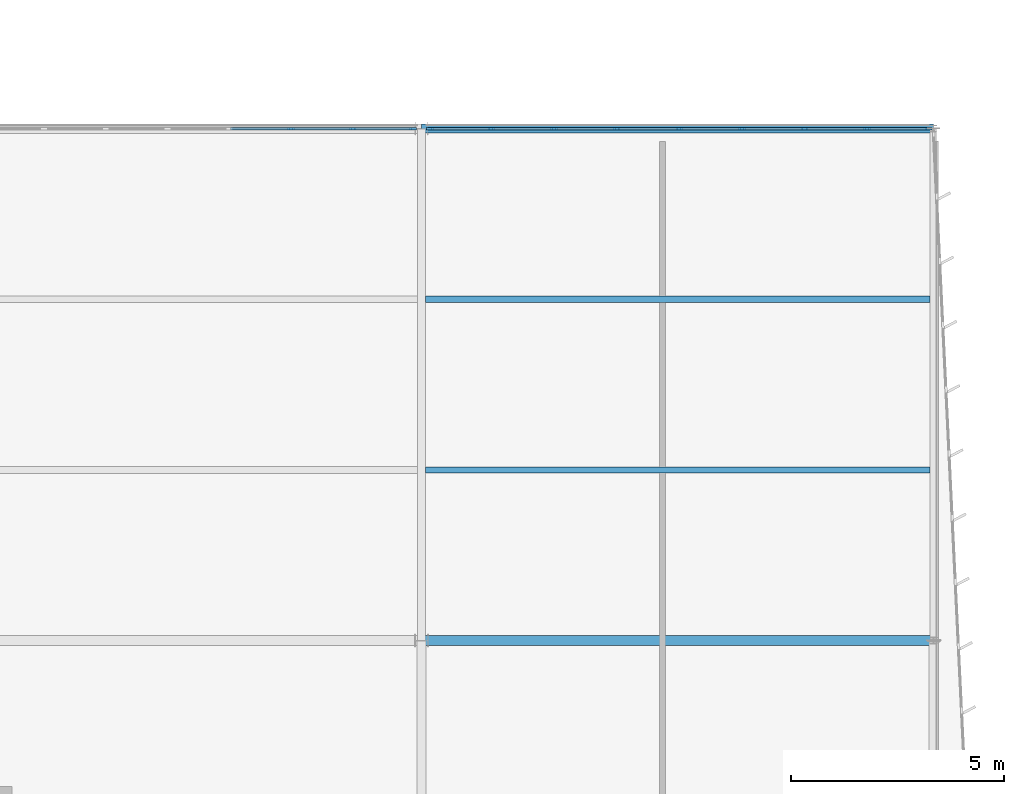
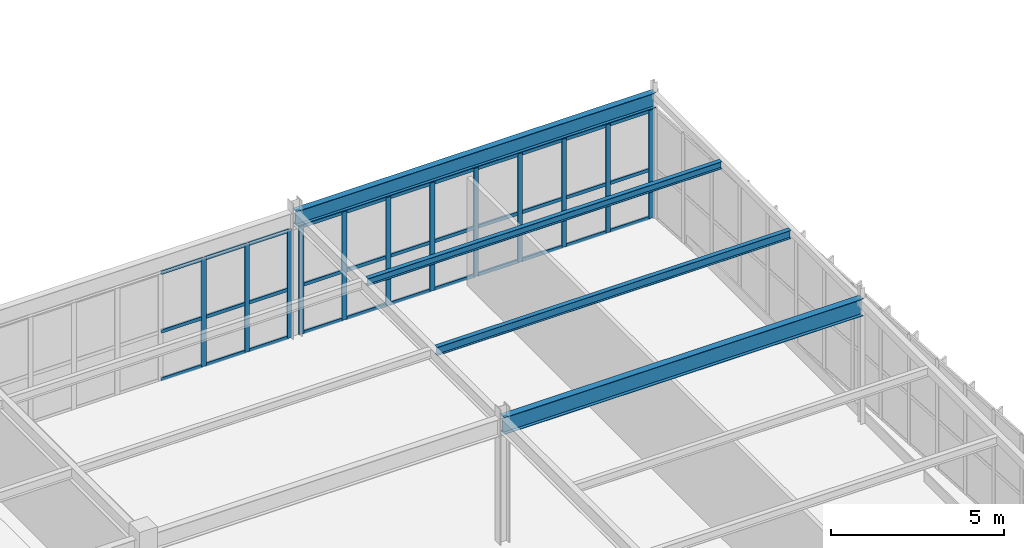
# One storey, part 96 of 186: 45 members, 4 beams, 2 elements without a shape of their own.
"""IFC4 building model written with IfcOpenShell, lengths in metres."""

from ifc_helpers import new_model, si_unit, direction, frame, origin, origin_2d, place, context, subcontext, project, spatial, rectangle, i_section, extrude, material, layer, layer_set, material_profile, profile_set, type_object, element, aggregate, save


model = new_model("IFC4")

# Units and contexts
model_context = context("Model", 3, precision=1e-05, world=origin(), true_north=direction((0.0, 1.0)))
body_context = subcontext(model_context, "Body", "Model", "MODEL_VIEW")
ifc_project = project(units=[si_unit("LENGTHUNIT", "METRE"), si_unit("AREAUNIT", "SQUARE_METRE"), si_unit("VOLUMEUNIT", "CUBIC_METRE"), si_unit("PLANEANGLEUNIT", "RADIAN"), si_unit("MASSUNIT", "GRAM", prefix="KILO")], contexts=[model_context])

# Site, building, storey
site_placement = place(None, origin())
site = spatial("IfcSite", under=ifc_project, at=site_placement, CompositionType="ELEMENT")
building_placement = place(site_placement, origin())
building = spatial("IfcBuilding", under=site, at=building_placement, Name="Tarnwether General Hospital", CompositionType="ELEMENT")
storey_placement = place(building_placement, frame((0.0, 0.0, 9.60009765625)))
storey = spatial("IfcBuildingStorey", under=building, at=storey_placement, Name="L02", CompositionType="ELEMENT", Elevation=9.60009765625)

# Beams
ifc_material_1 = material(Name="Steel Grade 350 (350 MPa)", Category="steel")
ifc_material_profile_1 = material_profile(ifc_material_1, i_section(OverallWidth=0.22802734375, OverallDepth=0.60205078125, WebThickness=0.010498046875, FlangeThickness=0.014892578125, at=origin_2d()), Name="610UB101")
ifc_profile_set_1 = profile_set([ifc_material_profile_1], Name="Steel Grade 350 (350 MPa)")
beam_type_1 = type_object("IfcBeamType", Name="BM-G05", PredefinedType="BEAM", material=ifc_profile_set_1)
beam_1_placement = place(storey_placement, frame((180.0, 33.60009765625, 4.138916015625), z_axis=(1.0, 0.0, 0.0), x_axis=(0.0, 1.0, 0.0)))
element("IfcBeam", 1, at=beam_1_placement, inside=storey, type_object=beam_type_1, Name="Primary Girder BMG-L02-18000_3360-19200_3360-1628", PredefinedType="BEAM", context=body_context, shape_type="SweptSolid", body=[
    extrude(i_section(OverallWidth=0.22802734375, OverallDepth=0.60205078125, WebThickness=0.010498046875, FlangeThickness=0.014892578125, at=origin_2d()), origin(), (0.0, 0.0, 1.0), 12.0),
])
ifc_material_2 = material(Name="Steel Grade 350 (350 MPa)", Category="steel")
ifc_material_profile_2 = material_profile(ifc_material_2, i_section(OverallWidth=0.208984375, OverallDepth=0.532958984375, WebThickness=0.01025390625, FlangeThickness=0.015625, at=origin_2d()), Name="530UB92.4")
ifc_profile_set_2 = profile_set([ifc_material_profile_2], Name="Steel Grade 350 (350 MPa)")
beam_type_2 = type_object("IfcBeamType", Name="BM-G06", PredefinedType="BEAM", material=ifc_profile_set_2)
beam_2_placement = place(storey_placement, frame((180.0, 45.60009765625, 4.17333984375), z_axis=(1.0, 0.0, 0.0), x_axis=(0.0, 1.0, 0.0)))
element("IfcBeam", 2, at=beam_2_placement, inside=storey, type_object=beam_type_2, Name="Primary Girder BMG-L02-18000_4560-19200_4560-1630", PredefinedType="BEAM", context=body_context, shape_type="SweptSolid", body=[
    extrude(i_section(OverallWidth=0.208984375, OverallDepth=0.532958984375, WebThickness=0.01025390625, FlangeThickness=0.015625, at=origin_2d()), origin(), (0.0, 0.0, 1.0), 12.0),
])
ifc_material_3 = material(Name="Steel Grade 350 (350 MPa)", Category="steel")
ifc_material_profile_3 = material_profile(ifc_material_3, i_section(OverallWidth=0.14892578125, OverallDepth=0.298095703125, WebThickness=0.005615234375, FlangeThickness=0.008056640625, at=origin_2d()), Name="310UB32.0")
ifc_profile_set_3 = profile_set([ifc_material_profile_3], Name="Steel Grade 350 (350 MPa)")
beam_type_3 = type_object("IfcBeamType", Name="BM-J08", PredefinedType="JOIST", material=ifc_profile_set_3)
beam_3_placement = place(storey_placement, frame((180.089111328125, 37.60009765625, 4.291015625), z_axis=(1.0, 0.0, 0.0), x_axis=(0.0, 1.0, 0.0)))
element("IfcBeam", 3, at=beam_3_placement, inside=storey, type_object=beam_type_3, Name="Composite Floor Joist BMG-L02-18009_3760-19192_3760-1746", PredefinedType="JOIST", context=body_context, shape_type="SweptSolid", body=[
    extrude(i_section(OverallWidth=0.14892578125, OverallDepth=0.298095703125, WebThickness=0.005615234375, FlangeThickness=0.008056640625, at=origin_2d()), origin(), (0.0, 0.0, 1.0), 11.830810546875),
])
ifc_material_4 = material(Name="Steel Grade 350 (350 MPa)", Category="steel")
ifc_material_profile_4 = material_profile(ifc_material_4, i_section(OverallWidth=0.14599609375, OverallDepth=0.256103515625, WebThickness=0.00634765625, FlangeThickness=0.010986328125, at=origin_2d()), Name="250UB37.3")
ifc_profile_set_4 = profile_set([ifc_material_profile_4], Name="Steel Grade 350 (350 MPa)")
beam_type_4 = type_object("IfcBeamType", Name="BM-J09", PredefinedType="JOIST", material=ifc_profile_set_4)
beam_4_placement = place(storey_placement, frame((180.089111328125, 41.60009765625, 4.31201171875), z_axis=(1.0, 0.0, 0.0), x_axis=(0.0, 1.0, 0.0)))
element("IfcBeam", 4, at=beam_4_placement, inside=storey, type_object=beam_type_4, Name="Composite Floor Joist BMG-L02-18009_4160-19192_4160-1747", PredefinedType="JOIST", context=body_context, shape_type="SweptSolid", body=[
    extrude(i_section(OverallWidth=0.14599609375, OverallDepth=0.256103515625, WebThickness=0.00634765625, FlangeThickness=0.010986328125, at=origin_2d()), origin(), (0.0, 0.0, 1.0), 11.830810546875),
])

# Curtain wall, members
ifc_material_5 = material(Name="Anodised aluminium", Category="aluminium")
ifc_layer = layer(ifc_material_5, 0.159912109375)
ifc_layer_set = layer_set([ifc_layer], Name="Anodised aluminium")
curtain_wall_type = type_object("IfcCurtainWallType", Name="CW-18", PredefinedType="NOTDEFINED", material=ifc_layer_set)
curtain_wall_1_placement = place(storey_placement, origin())
curtain_wall_1 = element("IfcCurtainWall", 5, at=curtain_wall_1_placement, inside=storey, type_object=curtain_wall_type, Name="Curtain Wall CWG-L02-1683_456-0454", PredefinedType="NOTDEFINED")
ifc_material_6 = material(Name="Anodised aluminium", Category="aluminium")
ifc_material_profile_5 = material_profile(ifc_material_6, rectangle(XDim=0.06005859375, YDim=0.159912109375, at=origin_2d()), Name="ALU-MUL-60x160")
ifc_profile_set_5 = profile_set([ifc_material_profile_5], Name="Anodised aluminium")
member_type_1 = type_object("IfcMemberType", Name="CW-ML1", PredefinedType="MULLION", material=ifc_profile_set_5)
member_1_placement = place(storey_placement, frame((176.93994140625, 45.60009765625, 0.0), z_axis=(0.0, 0.0, 1.0), x_axis=(0.0, 1.0, 0.0)))
member_1 = element("IfcMember", 6, at=member_1_placement, type_object=member_type_1, Name="CW-18 mullion 7", PredefinedType="MULLION", context=body_context, shape_type="SweptSolid", body=[
    extrude(rectangle(XDim=0.06005859375, YDim=0.159912109375, at=origin_2d()), origin(), (0.0, 0.0, 1.0), 3.822998046875),
])
member_2_placement = place(storey_placement, frame((178.386962890625, 45.60009765625, 0.0), z_axis=(0.0, 0.0, 1.0), x_axis=(0.0, 1.0, 0.0)))
member_2 = element("IfcMember", 7, at=member_2_placement, type_object=member_type_1, Name="CW-18 mullion 8", PredefinedType="MULLION", context=body_context, shape_type="SweptSolid", body=[
    extrude(rectangle(XDim=0.06005859375, YDim=0.159912109375, at=origin_2d()), origin(), (0.0, 0.0, 1.0), 3.822998046875),
])
member_3_placement = place(storey_placement, frame((179.803955078125, 45.60009765625, 0.0), z_axis=(0.0, 0.0, 1.0), x_axis=(0.0, 1.0, 0.0)))
member_3 = element("IfcMember", 8, at=member_3_placement, type_object=member_type_1, Name="CW-18 mullion 9", PredefinedType="MULLION", context=body_context, shape_type="SweptSolid", body=[
    extrude(rectangle(XDim=0.06005859375, YDim=0.159912109375, at=origin_2d()), origin(), (0.0, 0.0, 1.0), 3.822998046875),
])

curtain_wall_2_placement = place(storey_placement, origin())
curtain_wall_2 = element("IfcCurtainWall", 9, at=curtain_wall_2_placement, inside=storey, type_object=curtain_wall_type, Name="Curtain Wall CWG-L02-1802_456-0455", PredefinedType="NOTDEFINED")
member_4_placement = place(storey_placement, frame((180.196044921875, 45.60009765625, 0.0), z_axis=(0.0, 0.0, 1.0), x_axis=(0.0, 1.0, 0.0)))
member_4 = element("IfcMember", 10, at=member_4_placement, type_object=member_type_1, Name="CW-18 mullion 1", PredefinedType="MULLION", context=body_context, shape_type="SweptSolid", body=[
    extrude(rectangle(XDim=0.06005859375, YDim=0.159912109375, at=origin_2d()), origin(), (0.0, 0.0, 1.0), 3.822998046875),
])
member_5_placement = place(storey_placement, frame((181.634765625, 45.60009765625, 0.0), z_axis=(0.0, 0.0, 1.0), x_axis=(0.0, 1.0, 0.0)))
member_5 = element("IfcMember", 11, at=member_5_placement, type_object=member_type_1, Name="CW-18 mullion 2", PredefinedType="MULLION", context=body_context, shape_type="SweptSolid", body=[
    extrude(rectangle(XDim=0.06005859375, YDim=0.159912109375, at=origin_2d()), origin(), (0.0, 0.0, 1.0), 3.822998046875),
])
member_6_placement = place(storey_placement, frame((183.103515625, 45.60009765625, 0.0), z_axis=(0.0, 0.0, 1.0), x_axis=(0.0, 1.0, 0.0)))
member_6 = element("IfcMember", 12, at=member_6_placement, type_object=member_type_1, Name="CW-18 mullion 3", PredefinedType="MULLION", context=body_context, shape_type="SweptSolid", body=[
    extrude(rectangle(XDim=0.06005859375, YDim=0.159912109375, at=origin_2d()), origin(), (0.0, 0.0, 1.0), 3.822998046875),
])
member_7_placement = place(storey_placement, frame((184.572265625, 45.60009765625, 0.0), z_axis=(0.0, 0.0, 1.0), x_axis=(0.0, 1.0, 0.0)))
member_7 = element("IfcMember", 13, at=member_7_placement, type_object=member_type_1, Name="CW-18 mullion 4", PredefinedType="MULLION", context=body_context, shape_type="SweptSolid", body=[
    extrude(rectangle(XDim=0.06005859375, YDim=0.159912109375, at=origin_2d()), origin(), (0.0, 0.0, 1.0), 3.822998046875),
])
member_8_placement = place(storey_placement, frame((186.041015625, 45.60009765625, 0.0), z_axis=(0.0, 0.0, 1.0), x_axis=(0.0, 1.0, 0.0)))
member_8 = element("IfcMember", 14, at=member_8_placement, type_object=member_type_1, Name="CW-18 mullion 5", PredefinedType="MULLION", context=body_context, shape_type="SweptSolid", body=[
    extrude(rectangle(XDim=0.06005859375, YDim=0.159912109375, at=origin_2d()), origin(), (0.0, 0.0, 1.0), 3.822998046875),
])
member_9_placement = place(storey_placement, frame((187.509765625, 45.60009765625, 0.0), z_axis=(0.0, 0.0, 1.0), x_axis=(0.0, 1.0, 0.0)))
member_9 = element("IfcMember", 15, at=member_9_placement, type_object=member_type_1, Name="CW-18 mullion 6", PredefinedType="MULLION", context=body_context, shape_type="SweptSolid", body=[
    extrude(rectangle(XDim=0.06005859375, YDim=0.159912109375, at=origin_2d()), origin(), (0.0, 0.0, 1.0), 3.822998046875),
])
member_10_placement = place(storey_placement, frame((188.978515625, 45.60009765625, 0.0), z_axis=(0.0, 0.0, 1.0), x_axis=(0.0, 1.0, 0.0)))
member_10 = element("IfcMember", 16, at=member_10_placement, type_object=member_type_1, Name="CW-18 mullion 7", PredefinedType="MULLION", context=body_context, shape_type="SweptSolid", body=[
    extrude(rectangle(XDim=0.06005859375, YDim=0.159912109375, at=origin_2d()), origin(), (0.0, 0.0, 1.0), 3.822998046875),
])
member_11_placement = place(storey_placement, frame((190.447265625, 45.60009765625, 0.0), z_axis=(0.0, 0.0, 1.0), x_axis=(0.0, 1.0, 0.0)))
member_11 = element("IfcMember", 17, at=member_11_placement, type_object=member_type_1, Name="CW-18 mullion 8", PredefinedType="MULLION", context=body_context, shape_type="SweptSolid", body=[
    extrude(rectangle(XDim=0.06005859375, YDim=0.159912109375, at=origin_2d()), origin(), (0.0, 0.0, 1.0), 3.822998046875),
])
member_12_placement = place(storey_placement, frame((191.885986328125, 45.60009765625, 0.0), z_axis=(0.0, 0.0, 1.0), x_axis=(0.0, 1.0, 0.0)))
member_12 = element("IfcMember", 18, at=member_12_placement, type_object=member_type_1, Name="CW-18 mullion 9", PredefinedType="MULLION", context=body_context, shape_type="SweptSolid", body=[
    extrude(rectangle(XDim=0.06005859375, YDim=0.159912109375, at=origin_2d()), origin(), (0.0, 0.0, 1.0), 3.822998046875),
])

# Member
ifc_material_7 = material(Name="Anodised aluminium", Category="aluminium")
ifc_material_profile_6 = material_profile(ifc_material_7, rectangle(XDim=0.06005859375, YDim=0.1201171875, at=origin_2d()), Name="ALU-TRN-60x120")
ifc_profile_set_6 = profile_set([ifc_material_profile_6], Name="Anodised aluminium")
member_type_2 = type_object("IfcMemberType", Name="CW-TR1", PredefinedType="USERDEFINED", material=ifc_profile_set_6)
member_13_placement = place(storey_placement, frame((175.52294921875, 45.60009765625, 0.02978515625), z_axis=(1.0, 0.0, 0.0), x_axis=(0.0, 1.0, 0.0)))
member_13 = element("IfcMember", 19, at=member_13_placement, type_object=member_type_2, Name="CW-18 transom 6.1", ObjectType="TRANSOM", PredefinedType="USERDEFINED", context=body_context, shape_type="SweptSolid", body=[
    extrude(rectangle(XDim=0.06005859375, YDim=0.1201171875, at=origin_2d()), origin(), (0.0, 0.0, 1.0), 1.386962890625),
])

member_14_placement = place(storey_placement, frame((175.52294921875, 45.60009765625, 1.72021484375), z_axis=(1.0, 0.0, 0.0), x_axis=(0.0, 1.0, 0.0)))
member_14 = element("IfcMember", 20, at=member_14_placement, type_object=member_type_2, Name="CW-18 transom 6.2", ObjectType="TRANSOM", PredefinedType="USERDEFINED", context=body_context, shape_type="SweptSolid", body=[
    extrude(rectangle(XDim=0.06005859375, YDim=0.1201171875, at=origin_2d()), origin(), (0.0, 0.0, 1.0), 1.386962890625),
])

member_15_placement = place(storey_placement, frame((175.52294921875, 45.60009765625, 3.79296875), z_axis=(1.0, 0.0, 0.0), x_axis=(0.0, 1.0, 0.0)))
member_15 = element("IfcMember", 21, at=member_15_placement, type_object=member_type_2, Name="CW-18 transom 6.3", ObjectType="TRANSOM", PredefinedType="USERDEFINED", context=body_context, shape_type="SweptSolid", body=[
    extrude(rectangle(XDim=0.06005859375, YDim=0.1201171875, at=origin_2d()), origin(), (0.0, 0.0, 1.0), 1.386962890625),
])

member_16_placement = place(storey_placement, frame((176.969970703125, 45.60009765625, 0.02978515625), z_axis=(1.0, 0.0, 0.0), x_axis=(0.0, 1.0, 0.0)))
member_16 = element("IfcMember", 22, at=member_16_placement, type_object=member_type_2, Name="CW-18 transom 7.1", ObjectType="TRANSOM", PredefinedType="USERDEFINED", context=body_context, shape_type="SweptSolid", body=[
    extrude(rectangle(XDim=0.06005859375, YDim=0.1201171875, at=origin_2d()), origin(), (0.0, 0.0, 1.0), 1.386962890625),
])

member_17_placement = place(storey_placement, frame((176.969970703125, 45.60009765625, 1.72021484375), z_axis=(1.0, 0.0, 0.0), x_axis=(0.0, 1.0, 0.0)))
member_17 = element("IfcMember", 23, at=member_17_placement, type_object=member_type_2, Name="CW-18 transom 7.2", ObjectType="TRANSOM", PredefinedType="USERDEFINED", context=body_context, shape_type="SweptSolid", body=[
    extrude(rectangle(XDim=0.06005859375, YDim=0.1201171875, at=origin_2d()), origin(), (0.0, 0.0, 1.0), 1.386962890625),
])

member_18_placement = place(storey_placement, frame((176.969970703125, 45.60009765625, 3.79296875), z_axis=(1.0, 0.0, 0.0), x_axis=(0.0, 1.0, 0.0)))
member_18 = element("IfcMember", 24, at=member_18_placement, type_object=member_type_2, Name="CW-18 transom 7.3", ObjectType="TRANSOM", PredefinedType="USERDEFINED", context=body_context, shape_type="SweptSolid", body=[
    extrude(rectangle(XDim=0.06005859375, YDim=0.1201171875, at=origin_2d()), origin(), (0.0, 0.0, 1.0), 1.386962890625),
])

member_19_placement = place(storey_placement, frame((178.4169921875, 45.60009765625, 0.02978515625), z_axis=(1.0, 0.0, 0.0), x_axis=(0.0, 1.0, 0.0)))
member_19 = element("IfcMember", 25, at=member_19_placement, type_object=member_type_2, Name="CW-18 transom 8.1", ObjectType="TRANSOM", PredefinedType="USERDEFINED", context=body_context, shape_type="SweptSolid", body=[
    extrude(rectangle(XDim=0.06005859375, YDim=0.1201171875, at=origin_2d()), origin(), (0.0, 0.0, 1.0), 1.35693359375),
])

member_20_placement = place(storey_placement, frame((178.4169921875, 45.60009765625, 1.72021484375), z_axis=(1.0, 0.0, 0.0), x_axis=(0.0, 1.0, 0.0)))
member_20 = element("IfcMember", 26, at=member_20_placement, type_object=member_type_2, Name="CW-18 transom 8.2", ObjectType="TRANSOM", PredefinedType="USERDEFINED", context=body_context, shape_type="SweptSolid", body=[
    extrude(rectangle(XDim=0.06005859375, YDim=0.1201171875, at=origin_2d()), origin(), (0.0, 0.0, 1.0), 1.35693359375),
])

member_21_placement = place(storey_placement, frame((178.4169921875, 45.60009765625, 3.79296875), z_axis=(1.0, 0.0, 0.0), x_axis=(0.0, 1.0, 0.0)))
member_21 = element("IfcMember", 27, at=member_21_placement, type_object=member_type_2, Name="CW-18 transom 8.3", ObjectType="TRANSOM", PredefinedType="USERDEFINED", context=body_context, shape_type="SweptSolid", body=[
    extrude(rectangle(XDim=0.06005859375, YDim=0.1201171875, at=origin_2d()), origin(), (0.0, 0.0, 1.0), 1.35693359375),
])

aggregate(curtain_wall_1, [member_1, member_2, member_3, member_13, member_14, member_15, member_16, member_17, member_18, member_19, member_20, member_21])

member_22_placement = place(storey_placement, frame((180.22607421875, 45.60009765625, 0.02978515625), z_axis=(1.0, 0.0, 0.0), x_axis=(0.0, 1.0, 0.0)))
member_22 = element("IfcMember", 28, at=member_22_placement, type_object=member_type_2, Name="CW-18 transom 1.1", ObjectType="TRANSOM", PredefinedType="USERDEFINED", context=body_context, shape_type="SweptSolid", body=[
    extrude(rectangle(XDim=0.06005859375, YDim=0.1201171875, at=origin_2d()), origin(), (0.0, 0.0, 1.0), 1.378662109375),
])

member_23_placement = place(storey_placement, frame((180.22607421875, 45.60009765625, 1.72021484375), z_axis=(1.0, 0.0, 0.0), x_axis=(0.0, 1.0, 0.0)))
member_23 = element("IfcMember", 29, at=member_23_placement, type_object=member_type_2, Name="CW-18 transom 1.2", ObjectType="TRANSOM", PredefinedType="USERDEFINED", context=body_context, shape_type="SweptSolid", body=[
    extrude(rectangle(XDim=0.06005859375, YDim=0.1201171875, at=origin_2d()), origin(), (0.0, 0.0, 1.0), 1.378662109375),
])

member_24_placement = place(storey_placement, frame((180.22607421875, 45.60009765625, 3.79296875), z_axis=(1.0, 0.0, 0.0), x_axis=(0.0, 1.0, 0.0)))
member_24 = element("IfcMember", 30, at=member_24_placement, type_object=member_type_2, Name="CW-18 transom 1.3", ObjectType="TRANSOM", PredefinedType="USERDEFINED", context=body_context, shape_type="SweptSolid", body=[
    extrude(rectangle(XDim=0.06005859375, YDim=0.1201171875, at=origin_2d()), origin(), (0.0, 0.0, 1.0), 1.378662109375),
])

member_25_placement = place(storey_placement, frame((181.664794921875, 45.60009765625, 0.02978515625), z_axis=(1.0, 0.0, 0.0), x_axis=(0.0, 1.0, 0.0)))
member_25 = element("IfcMember", 31, at=member_25_placement, type_object=member_type_2, Name="CW-18 transom 2.1", ObjectType="TRANSOM", PredefinedType="USERDEFINED", context=body_context, shape_type="SweptSolid", body=[
    extrude(rectangle(XDim=0.06005859375, YDim=0.1201171875, at=origin_2d()), origin(), (0.0, 0.0, 1.0), 1.40869140625),
])

member_26_placement = place(storey_placement, frame((181.664794921875, 45.60009765625, 1.72021484375), z_axis=(1.0, 0.0, 0.0), x_axis=(0.0, 1.0, 0.0)))
member_26 = element("IfcMember", 32, at=member_26_placement, type_object=member_type_2, Name="CW-18 transom 2.2", ObjectType="TRANSOM", PredefinedType="USERDEFINED", context=body_context, shape_type="SweptSolid", body=[
    extrude(rectangle(XDim=0.06005859375, YDim=0.1201171875, at=origin_2d()), origin(), (0.0, 0.0, 1.0), 1.40869140625),
])

member_27_placement = place(storey_placement, frame((181.664794921875, 45.60009765625, 3.79296875), z_axis=(1.0, 0.0, 0.0), x_axis=(0.0, 1.0, 0.0)))
member_27 = element("IfcMember", 33, at=member_27_placement, type_object=member_type_2, Name="CW-18 transom 2.3", ObjectType="TRANSOM", PredefinedType="USERDEFINED", context=body_context, shape_type="SweptSolid", body=[
    extrude(rectangle(XDim=0.06005859375, YDim=0.1201171875, at=origin_2d()), origin(), (0.0, 0.0, 1.0), 1.40869140625),
])

member_28_placement = place(storey_placement, frame((183.133544921875, 45.60009765625, 0.02978515625), z_axis=(1.0, 0.0, 0.0), x_axis=(0.0, 1.0, 0.0)))
member_28 = element("IfcMember", 34, at=member_28_placement, type_object=member_type_2, Name="CW-18 transom 3.1", ObjectType="TRANSOM", PredefinedType="USERDEFINED", context=body_context, shape_type="SweptSolid", body=[
    extrude(rectangle(XDim=0.06005859375, YDim=0.1201171875, at=origin_2d()), origin(), (0.0, 0.0, 1.0), 1.40869140625),
])

member_29_placement = place(storey_placement, frame((183.133544921875, 45.60009765625, 1.72021484375), z_axis=(1.0, 0.0, 0.0), x_axis=(0.0, 1.0, 0.0)))
member_29 = element("IfcMember", 35, at=member_29_placement, type_object=member_type_2, Name="CW-18 transom 3.2", ObjectType="TRANSOM", PredefinedType="USERDEFINED", context=body_context, shape_type="SweptSolid", body=[
    extrude(rectangle(XDim=0.06005859375, YDim=0.1201171875, at=origin_2d()), origin(), (0.0, 0.0, 1.0), 1.40869140625),
])

member_30_placement = place(storey_placement, frame((183.133544921875, 45.60009765625, 3.79296875), z_axis=(1.0, 0.0, 0.0), x_axis=(0.0, 1.0, 0.0)))
member_30 = element("IfcMember", 36, at=member_30_placement, type_object=member_type_2, Name="CW-18 transom 3.3", ObjectType="TRANSOM", PredefinedType="USERDEFINED", context=body_context, shape_type="SweptSolid", body=[
    extrude(rectangle(XDim=0.06005859375, YDim=0.1201171875, at=origin_2d()), origin(), (0.0, 0.0, 1.0), 1.40869140625),
])

member_31_placement = place(storey_placement, frame((184.602294921875, 45.60009765625, 0.02978515625), z_axis=(1.0, 0.0, 0.0), x_axis=(0.0, 1.0, 0.0)))
member_31 = element("IfcMember", 37, at=member_31_placement, type_object=member_type_2, Name="CW-18 transom 4.1", ObjectType="TRANSOM", PredefinedType="USERDEFINED", context=body_context, shape_type="SweptSolid", body=[
    extrude(rectangle(XDim=0.06005859375, YDim=0.1201171875, at=origin_2d()), origin(), (0.0, 0.0, 1.0), 1.40869140625),
])

member_32_placement = place(storey_placement, frame((184.602294921875, 45.60009765625, 1.72021484375), z_axis=(1.0, 0.0, 0.0), x_axis=(0.0, 1.0, 0.0)))
member_32 = element("IfcMember", 38, at=member_32_placement, type_object=member_type_2, Name="CW-18 transom 4.2", ObjectType="TRANSOM", PredefinedType="USERDEFINED", context=body_context, shape_type="SweptSolid", body=[
    extrude(rectangle(XDim=0.06005859375, YDim=0.1201171875, at=origin_2d()), origin(), (0.0, 0.0, 1.0), 1.40869140625),
])

member_33_placement = place(storey_placement, frame((184.602294921875, 45.60009765625, 3.79296875), z_axis=(1.0, 0.0, 0.0), x_axis=(0.0, 1.0, 0.0)))
member_33 = element("IfcMember", 39, at=member_33_placement, type_object=member_type_2, Name="CW-18 transom 4.3", ObjectType="TRANSOM", PredefinedType="USERDEFINED", context=body_context, shape_type="SweptSolid", body=[
    extrude(rectangle(XDim=0.06005859375, YDim=0.1201171875, at=origin_2d()), origin(), (0.0, 0.0, 1.0), 1.40869140625),
])

member_34_placement = place(storey_placement, frame((186.071044921875, 45.60009765625, 0.02978515625), z_axis=(1.0, 0.0, 0.0), x_axis=(0.0, 1.0, 0.0)))
member_34 = element("IfcMember", 40, at=member_34_placement, type_object=member_type_2, Name="CW-18 transom 5.1", ObjectType="TRANSOM", PredefinedType="USERDEFINED", context=body_context, shape_type="SweptSolid", body=[
    extrude(rectangle(XDim=0.06005859375, YDim=0.1201171875, at=origin_2d()), origin(), (0.0, 0.0, 1.0), 1.40869140625),
])

member_35_placement = place(storey_placement, frame((186.071044921875, 45.60009765625, 1.72021484375), z_axis=(1.0, 0.0, 0.0), x_axis=(0.0, 1.0, 0.0)))
member_35 = element("IfcMember", 41, at=member_35_placement, type_object=member_type_2, Name="CW-18 transom 5.2", ObjectType="TRANSOM", PredefinedType="USERDEFINED", context=body_context, shape_type="SweptSolid", body=[
    extrude(rectangle(XDim=0.06005859375, YDim=0.1201171875, at=origin_2d()), origin(), (0.0, 0.0, 1.0), 1.40869140625),
])

member_36_placement = place(storey_placement, frame((186.071044921875, 45.60009765625, 3.79296875), z_axis=(1.0, 0.0, 0.0), x_axis=(0.0, 1.0, 0.0)))
member_36 = element("IfcMember", 42, at=member_36_placement, type_object=member_type_2, Name="CW-18 transom 5.3", ObjectType="TRANSOM", PredefinedType="USERDEFINED", context=body_context, shape_type="SweptSolid", body=[
    extrude(rectangle(XDim=0.06005859375, YDim=0.1201171875, at=origin_2d()), origin(), (0.0, 0.0, 1.0), 1.40869140625),
])

member_37_placement = place(storey_placement, frame((187.539794921875, 45.60009765625, 0.02978515625), z_axis=(1.0, 0.0, 0.0), x_axis=(0.0, 1.0, 0.0)))
member_37 = element("IfcMember", 43, at=member_37_placement, type_object=member_type_2, Name="CW-18 transom 6.1", ObjectType="TRANSOM", PredefinedType="USERDEFINED", context=body_context, shape_type="SweptSolid", body=[
    extrude(rectangle(XDim=0.06005859375, YDim=0.1201171875, at=origin_2d()), origin(), (0.0, 0.0, 1.0), 1.40869140625),
])

member_38_placement = place(storey_placement, frame((187.539794921875, 45.60009765625, 1.72021484375), z_axis=(1.0, 0.0, 0.0), x_axis=(0.0, 1.0, 0.0)))
member_38 = element("IfcMember", 44, at=member_38_placement, type_object=member_type_2, Name="CW-18 transom 6.2", ObjectType="TRANSOM", PredefinedType="USERDEFINED", context=body_context, shape_type="SweptSolid", body=[
    extrude(rectangle(XDim=0.06005859375, YDim=0.1201171875, at=origin_2d()), origin(), (0.0, 0.0, 1.0), 1.40869140625),
])

member_39_placement = place(storey_placement, frame((187.539794921875, 45.60009765625, 3.79296875), z_axis=(1.0, 0.0, 0.0), x_axis=(0.0, 1.0, 0.0)))
member_39 = element("IfcMember", 45, at=member_39_placement, type_object=member_type_2, Name="CW-18 transom 6.3", ObjectType="TRANSOM", PredefinedType="USERDEFINED", context=body_context, shape_type="SweptSolid", body=[
    extrude(rectangle(XDim=0.06005859375, YDim=0.1201171875, at=origin_2d()), origin(), (0.0, 0.0, 1.0), 1.40869140625),
])

member_40_placement = place(storey_placement, frame((189.008544921875, 45.60009765625, 0.02978515625), z_axis=(1.0, 0.0, 0.0), x_axis=(0.0, 1.0, 0.0)))
member_40 = element("IfcMember", 46, at=member_40_placement, type_object=member_type_2, Name="CW-18 transom 7.1", ObjectType="TRANSOM", PredefinedType="USERDEFINED", context=body_context, shape_type="SweptSolid", body=[
    extrude(rectangle(XDim=0.06005859375, YDim=0.1201171875, at=origin_2d()), origin(), (0.0, 0.0, 1.0), 1.40869140625),
])

member_41_placement = place(storey_placement, frame((189.008544921875, 45.60009765625, 1.72021484375), z_axis=(1.0, 0.0, 0.0), x_axis=(0.0, 1.0, 0.0)))
member_41 = element("IfcMember", 47, at=member_41_placement, type_object=member_type_2, Name="CW-18 transom 7.2", ObjectType="TRANSOM", PredefinedType="USERDEFINED", context=body_context, shape_type="SweptSolid", body=[
    extrude(rectangle(XDim=0.06005859375, YDim=0.1201171875, at=origin_2d()), origin(), (0.0, 0.0, 1.0), 1.40869140625),
])

member_42_placement = place(storey_placement, frame((189.008544921875, 45.60009765625, 3.79296875), z_axis=(1.0, 0.0, 0.0), x_axis=(0.0, 1.0, 0.0)))
member_42 = element("IfcMember", 48, at=member_42_placement, type_object=member_type_2, Name="CW-18 transom 7.3", ObjectType="TRANSOM", PredefinedType="USERDEFINED", context=body_context, shape_type="SweptSolid", body=[
    extrude(rectangle(XDim=0.06005859375, YDim=0.1201171875, at=origin_2d()), origin(), (0.0, 0.0, 1.0), 1.40869140625),
])

member_43_placement = place(storey_placement, frame((190.477294921875, 45.60009765625, 0.02978515625), z_axis=(1.0, 0.0, 0.0), x_axis=(0.0, 1.0, 0.0)))
member_43 = element("IfcMember", 49, at=member_43_placement, type_object=member_type_2, Name="CW-18 transom 8.1", ObjectType="TRANSOM", PredefinedType="USERDEFINED", context=body_context, shape_type="SweptSolid", body=[
    extrude(rectangle(XDim=0.06005859375, YDim=0.1201171875, at=origin_2d()), origin(), (0.0, 0.0, 1.0), 1.378662109375),
])

member_44_placement = place(storey_placement, frame((190.477294921875, 45.60009765625, 1.72021484375), z_axis=(1.0, 0.0, 0.0), x_axis=(0.0, 1.0, 0.0)))
member_44 = element("IfcMember", 50, at=member_44_placement, type_object=member_type_2, Name="CW-18 transom 8.2", ObjectType="TRANSOM", PredefinedType="USERDEFINED", context=body_context, shape_type="SweptSolid", body=[
    extrude(rectangle(XDim=0.06005859375, YDim=0.1201171875, at=origin_2d()), origin(), (0.0, 0.0, 1.0), 1.378662109375),
])

member_45_placement = place(storey_placement, frame((190.477294921875, 45.60009765625, 3.79296875), z_axis=(1.0, 0.0, 0.0), x_axis=(0.0, 1.0, 0.0)))
member_45 = element("IfcMember", 51, at=member_45_placement, type_object=member_type_2, Name="CW-18 transom 8.3", ObjectType="TRANSOM", PredefinedType="USERDEFINED", context=body_context, shape_type="SweptSolid", body=[
    extrude(rectangle(XDim=0.06005859375, YDim=0.1201171875, at=origin_2d()), origin(), (0.0, 0.0, 1.0), 1.378662109375),
])

aggregate(curtain_wall_2, [member_4, member_5, member_6, member_7, member_8, member_9, member_10, member_11, member_12, member_22, member_23, member_24, member_25, member_26, member_27, member_28, member_29, member_30, member_31, member_32, member_33, member_34, member_35, member_36, member_37, member_38, member_39, member_40, member_41, member_42, member_43, member_44, member_45])

save(model, "model.ifc")
